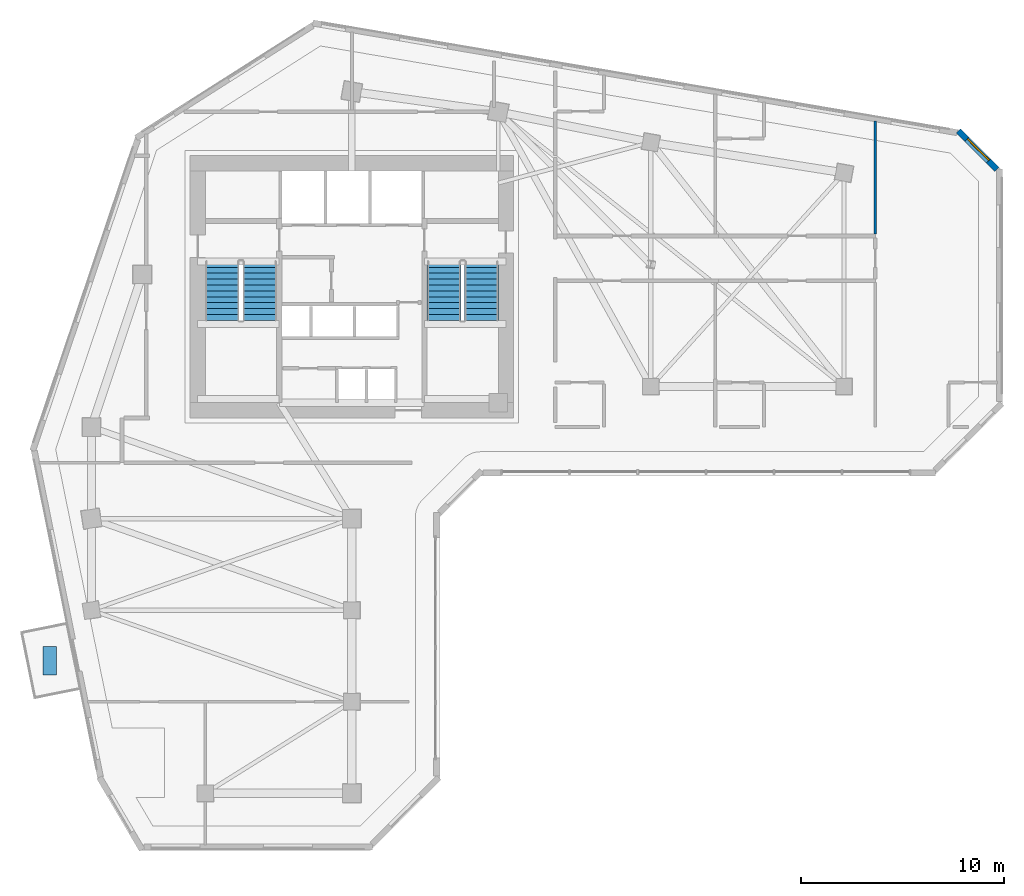
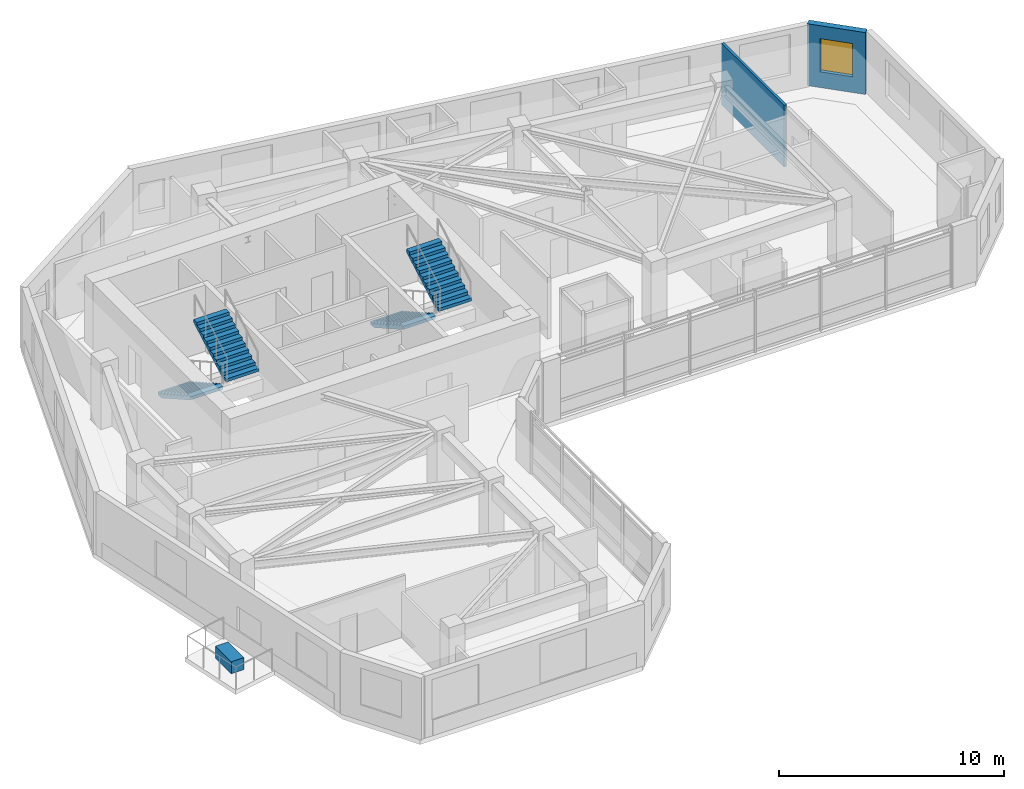
# One storey, part 8 of 11: 4 stair flights, 2 walls, 1 discrete accessory, 1 window, 1 opening, 2 elements without a shape of their own.
"""IFC4 building model written with IfcOpenShell, lengths in metres."""

from ifc_helpers import new_model, si_unit, direction, frame, frame_2d, origin, origin_2d, place, context, subcontext, project, spatial, polyline, rectangle, outline, extrude, source, transform, mapped, material, layer, layer_set, type_object, element, fill, aggregate, save


model = new_model("IFC4")

# Units and contexts
model_context = context("Model", 3, precision=1e-05, world=origin(), true_north=direction((0.0, 1.0)))
body_context = subcontext(model_context, "Body", "Model", "MODEL_VIEW")
ifc_project = project(units=[si_unit("LENGTHUNIT", "METRE"), si_unit("AREAUNIT", "SQUARE_METRE"), si_unit("VOLUMEUNIT", "CUBIC_METRE"), si_unit("PLANEANGLEUNIT", "RADIAN"), si_unit("MASSUNIT", "GRAM", prefix="KILO")], contexts=[model_context])

# Site, building, storey
site_placement = place(None, origin())
site = spatial("IfcSite", under=ifc_project, at=site_placement, CompositionType="ELEMENT")
building_placement = place(site_placement, origin())
building = spatial("IfcBuilding", under=site, at=building_placement, Name="Calvemar Wedge Station Tower", CompositionType="ELEMENT")
storey_placement = place(building_placement, frame((0.0, 0.0, 161.0)))
storey = spatial("IfcBuildingStorey", under=building, at=storey_placement, Name="L40", CompositionType="ELEMENT", Elevation=161.0)

# Wall, opening, window
ifc_material_1 = material(Name="Precast concrete C45", Category="concrete")
ifc_layer_1 = layer(ifc_material_1, 0.300048828125)
ifc_layer_set_1 = layer_set([ifc_layer_1], Name="Precast concrete C45")
wall_type_1 = type_object("IfcWallType", Name="W-EXT-GFRC-300", PredefinedType="SOLIDWALL", material=ifc_layer_set_1)
wall_1_placement = place(storey_placement, frame((55.511962890625, 45.66796875, 0.0), z_axis=(0.0, 0.0, 1.0), x_axis=(-0.707152443695, 0.707061115729, 0.0)))
wall_1 = element("IfcWall", 1, at=wall_1_placement, inside=storey, type_object=wall_type_1, Name="Storey L40 Bronze GFRC Exterior Wall 9", PredefinedType="SOLIDWALL", context=body_context, shape_type="SweptSolid", body=[
    extrude(rectangle(XDim=2.67333984375, YDim=0.300048828125, at=frame_2d((1.336669921875, 0.0))), origin(), (0.0, 0.0, 1.0), 3.35009765625),
])
shared_shape_1 = source(origin(), body_context, "Body", "SweptSolid", [
    extrude(rectangle(XDim=1.5, YDim=1.800048828125, at=frame_2d((0.75, 0.89990234375))), frame((0.0, 0.16015625, 0.0), z_axis=(0.0, -1.0, 0.0), x_axis=(1.0, 0.0, 0.0)), (0.0, 0.0, 1.0), 0.320068359375),
])
opening_placement = place(wall_1_placement, frame((0.5869140625, 0.0, 0.85009765625)))
opening = element("IfcOpeningElement", 2, at=opening_placement, cuts=wall_1, Name="Opening W3", PredefinedType="OPENING", context=body_context, shape_type="MappedRepresentation", body=[
    mapped(shared_shape_1, transform((0.0, 0.0, 0.0), scale=1.0)),
])
ifc_material_2 = material(Name="Low-E laminated insulated glass", Category="glass")
window_type = type_object("IfcWindowType", Name="WIN-EXT-3", PartitioningType="SINGLE_PANEL", PredefinedType="WINDOW", material=ifc_material_2)
shared_shape_2 = source(origin(), body_context, "Body", "SweptSolid", [
    extrude(rectangle(XDim=1.5, YDim=1.800048828125, at=frame_2d((0.75, 0.89990234375))), frame((0.0, -0.014892578125, 0.0), z_axis=(0.0, -1.0, 0.0), x_axis=(1.0, 0.0, 0.0)), (0.0, 0.0, 1.0), 0.06005859375),
])
window_placement = place(opening_placement, origin())
window = element("IfcWindow", 3, at=window_placement, inside=storey, type_object=window_type, Name="Storey L40 Recessed Window 9.1", OverallHeight=1.800048828125, OverallWidth=1.5, PartitioningType="SINGLE_PANEL", PredefinedType="WINDOW", context=body_context, shape_type="MappedRepresentation", body=[
    mapped(shared_shape_2, transform((0.0, 0.0, 0.0), scale=1.0)),
])
fill(opening, window)

# Wall
ifc_material_3 = material(Name="Insulated acoustic gypsum stud partition")
ifc_layer_2 = layer(ifc_material_3, 0.125)
ifc_layer_set_2 = layer_set([ifc_layer_2], Name="Insulated acoustic gypsum stud partition")
wall_type_2 = type_object("IfcWallType", Name="W-PART-125", PredefinedType="PARTITIONING", material=ifc_layer_set_2)
wall_2_placement = place(storey_placement, frame((49.534912109375, 48.048583984375, 0.0), z_axis=(0.0, 0.0, 1.0), x_axis=(0.0, -1.0, 0.0)))
element("IfcWall", 4, at=wall_2_placement, inside=storey, type_object=wall_type_2, Name="Storey L40 Interior Partition WL-L40-032", PredefinedType="PARTITIONING", context=body_context, shape_type="SweptSolid", body=[
    extrude(rectangle(XDim=5.5546875, YDim=0.125, at=frame_2d((2.77734375, 0.0))), origin(), (0.0, 0.0, 1.0), 3.35009765625),
])

# Stair, stair flights
ifc_material_4 = material(Name="Concrete C45", Category="concrete")
stair_type = type_object("IfcStairType", Name="ST-TYPE-3600", PredefinedType="HALF_TURN_STAIR", material=ifc_material_4)
stair_1_placement = place(storey_placement, origin())
stair_1 = element("IfcStair", 5, at=stair_1_placement, inside=storey, type_object=stair_type, Name="L40 Pressurized Core Exit Stair ST-C1", PredefinedType="HALF_TURN_STAIR")
stair_flight_type = type_object("IfcStairFlightType", Name="STF-TYPE-3600", PredefinedType="STRAIGHT", material=ifc_material_4)
stair_flight_1_placement = place(storey_placement, frame((17.429931640625, 41.14990234375, 0.0), z_axis=(0.0, 0.0, 1.0), x_axis=(0.0, -1.0, 0.0)))
stair_flight_1 = element("IfcStairFlight", 6, at=stair_flight_1_placement, type_object=stair_flight_type, Name="ST-C1 flight 1", NumberOfRisers=11, NumberOfTreads=10, PredefinedType="STRAIGHT", RiserHeight=0.163636364, TreadLength=0.29, context=body_context, shape_type="SweptSolid", body=[
    extrude(outline(polyline([(0.0, 0.0), (0.0, 0.16357421875), (0.2900390625, 0.16357421875), (0.2900390625, 0.327392578125), (0.580078125, 0.327392578125), (0.580078125, 0.490966796875), (0.8701171875, 0.490966796875), (0.8701171875, 0.654541015625), (1.159912109375, 0.654541015625), (1.159912109375, 0.818115234375), (1.449951171875, 0.818115234375), (1.449951171875, 0.98193359375), (1.739990234375, 0.98193359375), (1.739990234375, 1.1455078125), (2.030029296875, 1.1455078125), (2.030029296875, 1.30908203125), (2.320068359375, 1.30908203125), (2.320068359375, 1.47265625), (2.610107421875, 1.47265625), (2.610107421875, 1.636474609375), (2.89990234375, 1.636474609375), (2.89990234375, 1.800048828125), (2.89990234375, 1.46435546875), (0.304931640625, 0.0), (0.0, 0.0)])), frame((0.0, 0.830078125, 0.0), z_axis=(0.0, -1.0, 0.0), x_axis=(1.0, 0.0, 0.0)), (0.0, 0.0, 1.0), 1.659912109375),
])
stair_flight_2_placement = place(storey_placement, frame((19.27001953125, 38.25, 1.800048828125), z_axis=(0.0, 0.0, 1.0), x_axis=(0.0, 1.0, 0.0)))
stair_flight_2 = element("IfcStairFlight", 7, at=stair_flight_2_placement, type_object=stair_flight_type, Name="ST-C1 flight 2", NumberOfRisers=11, NumberOfTreads=10, PredefinedType="STRAIGHT", RiserHeight=0.163636364, TreadLength=0.29, context=body_context, shape_type="SweptSolid", body=[
    extrude(outline(polyline([(0.0, 0.0), (0.0, 0.16357421875), (0.2900390625, 0.16357421875), (0.2900390625, 0.327392578125), (0.580078125, 0.327392578125), (0.580078125, 0.490966796875), (0.8701171875, 0.490966796875), (0.8701171875, 0.654541015625), (1.159912109375, 0.654541015625), (1.159912109375, 0.818115234375), (1.449951171875, 0.818115234375), (1.449951171875, 0.98193359375), (1.739990234375, 0.98193359375), (1.739990234375, 1.1455078125), (2.030029296875, 1.1455078125), (2.030029296875, 1.30908203125), (2.320068359375, 1.30908203125), (2.320068359375, 1.47265625), (2.610107421875, 1.47265625), (2.610107421875, 1.636474609375), (2.89990234375, 1.636474609375), (2.89990234375, 1.800048828125), (2.89990234375, 1.46435546875), (0.304931640625, 0.0), (0.0, 0.0)])), frame((0.0, 0.830078125, 0.0), z_axis=(0.0, -1.0, 0.0), x_axis=(1.0, 0.0, 0.0)), (0.0, 0.0, 1.0), 1.659912109375),
])
aggregate(stair_1, [stair_flight_1, stair_flight_2])

stair_2_placement = place(storey_placement, origin())
stair_2 = element("IfcStair", 8, at=stair_2_placement, inside=storey, type_object=stair_type, Name="L40 Pressurized Core Exit Stair ST-C2", PredefinedType="HALF_TURN_STAIR")
stair_flight_3_placement = place(storey_placement, frame((28.330078125, 41.14990234375, 0.0), z_axis=(0.0, 0.0, 1.0), x_axis=(0.0, -1.0, 0.0)))
stair_flight_3 = element("IfcStairFlight", 9, at=stair_flight_3_placement, type_object=stair_flight_type, Name="ST-C2 flight 1", NumberOfRisers=11, NumberOfTreads=10, PredefinedType="STRAIGHT", RiserHeight=0.163636364, TreadLength=0.29, context=body_context, shape_type="SweptSolid", body=[
    extrude(outline(polyline([(0.0, 0.0), (0.0, 0.16357421875), (0.2900390625, 0.16357421875), (0.2900390625, 0.327392578125), (0.580078125, 0.327392578125), (0.580078125, 0.490966796875), (0.8701171875, 0.490966796875), (0.8701171875, 0.654541015625), (1.159912109375, 0.654541015625), (1.159912109375, 0.818115234375), (1.449951171875, 0.818115234375), (1.449951171875, 0.98193359375), (1.739990234375, 0.98193359375), (1.739990234375, 1.1455078125), (2.030029296875, 1.1455078125), (2.030029296875, 1.30908203125), (2.320068359375, 1.30908203125), (2.320068359375, 1.47265625), (2.610107421875, 1.47265625), (2.610107421875, 1.636474609375), (2.89990234375, 1.636474609375), (2.89990234375, 1.800048828125), (2.89990234375, 1.46435546875), (0.304931640625, 0.0), (0.0, 0.0)])), frame((0.0, 0.830078125, 0.0), z_axis=(0.0, -1.0, 0.0), x_axis=(1.0, 0.0, 0.0)), (0.0, 0.0, 1.0), 1.659912109375),
])
stair_flight_4_placement = place(storey_placement, frame((30.169921875, 38.25, 1.800048828125), z_axis=(0.0, 0.0, 1.0), x_axis=(0.0, 1.0, 0.0)))
stair_flight_4 = element("IfcStairFlight", 10, at=stair_flight_4_placement, type_object=stair_flight_type, Name="ST-C2 flight 2", NumberOfRisers=11, NumberOfTreads=10, PredefinedType="STRAIGHT", RiserHeight=0.163636364, TreadLength=0.29, context=body_context, shape_type="SweptSolid", body=[
    extrude(outline(polyline([(0.0, 0.0), (0.0, 0.16357421875), (0.2900390625, 0.16357421875), (0.2900390625, 0.327392578125), (0.580078125, 0.327392578125), (0.580078125, 0.490966796875), (0.8701171875, 0.490966796875), (0.8701171875, 0.654541015625), (1.159912109375, 0.654541015625), (1.159912109375, 0.818115234375), (1.449951171875, 0.818115234375), (1.449951171875, 0.98193359375), (1.739990234375, 0.98193359375), (1.739990234375, 1.1455078125), (2.030029296875, 1.1455078125), (2.030029296875, 1.30908203125), (2.320068359375, 1.30908203125), (2.320068359375, 1.47265625), (2.610107421875, 1.47265625), (2.610107421875, 1.636474609375), (2.89990234375, 1.636474609375), (2.89990234375, 1.800048828125), (2.89990234375, 1.46435546875), (0.304931640625, 0.0), (0.0, 0.0)])), frame((0.0, 0.830078125, 0.0), z_axis=(0.0, -1.0, 0.0), x_axis=(1.0, 0.0, 0.0)), (0.0, 0.0, 1.0), 1.659912109375),
])
aggregate(stair_2, [stair_flight_3, stair_flight_4])

# Discrete accessory
discrete_accessory_type = type_object("IfcDiscreteAccessoryType", Name="ACC-PLANTER", PredefinedType="USERDEFINED", material=ifc_material_1)
shared_shape_3 = source(origin(), body_context, "Body", "SweptSolid", [
    extrude(rectangle(XDim=0.64990234375, YDim=1.39990234375, at=origin_2d()), origin(), (0.0, 0.0, 1.0), 0.64990234375),
])
discrete_accessory_placement = place(storey_placement, frame((8.952880859375, 21.52099609375, 0.0), z_axis=(0.0, 0.0, 1.0), x_axis=(1.0, 0.0, 0.0)))
element("IfcDiscreteAccessory", 11, at=discrete_accessory_placement, inside=storey, type_object=discrete_accessory_type, Name="Storey L40 Planted Terrace GFRC Planter", ObjectType="PLANTER", PredefinedType="USERDEFINED", context=body_context, shape_type="MappedRepresentation", body=[
    mapped(shared_shape_3, transform((0.0, 0.0, 0.0), scale=1.0)),
])

save(model, "model.ifc")
